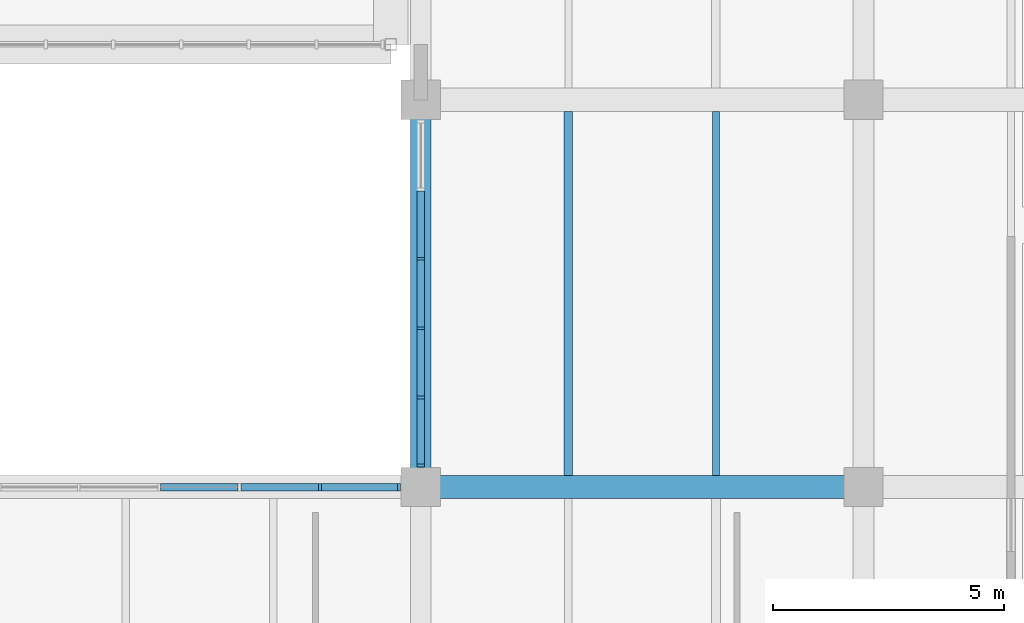
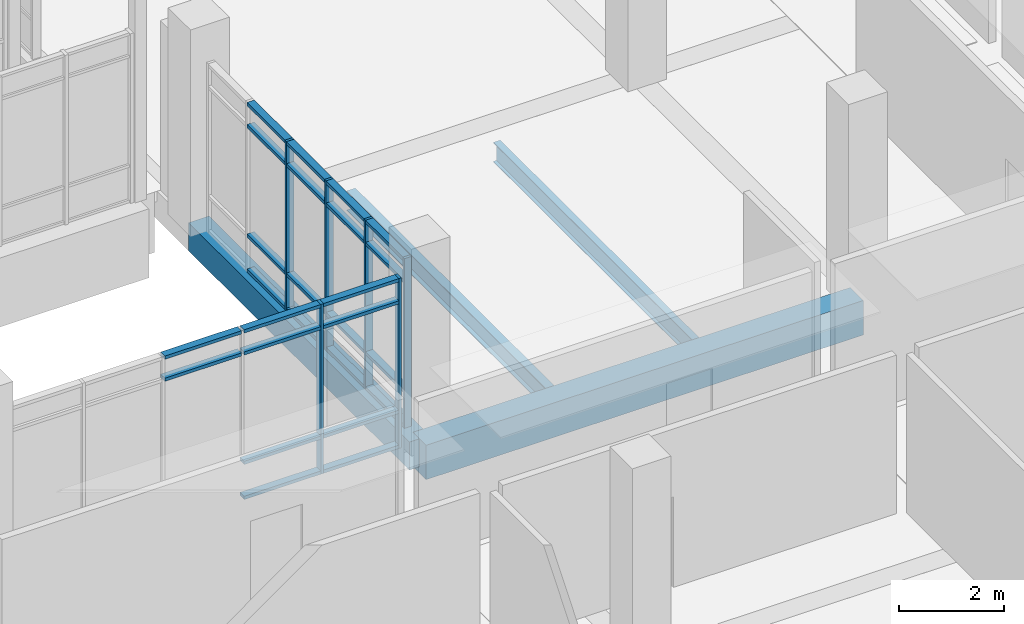
# One storey, part 47 of 152: 32 members, 4 beams, 2 elements without a shape of their own.
"""IFC4 building model written with IfcOpenShell, lengths in metres."""

from ifc_helpers import new_model, si_unit, direction, frame, origin, origin_2d, place, context, subcontext, project, spatial, rectangle, i_section, extrude, material, material_profile, profile_set, type_object, element, aggregate, save


model = new_model("IFC4")

# Units and contexts
model_context = context("Model", 3, precision=1e-05, world=origin(), true_north=direction((0.0, 1.0)))
body_context = subcontext(model_context, "Body", "Model", "MODEL_VIEW")
ifc_project = project(units=[si_unit("LENGTHUNIT", "METRE"), si_unit("AREAUNIT", "SQUARE_METRE"), si_unit("VOLUMEUNIT", "CUBIC_METRE"), si_unit("PLANEANGLEUNIT", "RADIAN"), si_unit("MASSUNIT", "GRAM", prefix="KILO")], contexts=[model_context])

# Site, building, storey
site_placement = place(None, origin())
site = spatial("IfcSite", under=ifc_project, at=site_placement, CompositionType="ELEMENT")
building_placement = place(site_placement, origin())
building = spatial("IfcBuilding", under=site, at=building_placement, Name="Oolite Switchyard Hospital", CompositionType="ELEMENT")
storey_placement = place(building_placement, frame((0.0, 0.0, 5.10009765625)))
storey = spatial("IfcBuildingStorey", under=building, at=storey_placement, Name="L01", CompositionType="ELEMENT", Elevation=5.10009765625)

# Beams
ifc_material_1 = material(Name="Concrete C40/50", Category="concrete")
ifc_material_profile_1 = material_profile(ifc_material_1, rectangle(XDim=0.449951171875, YDim=0.64990234375, at=origin_2d()), Name="RCB450X650")
ifc_profile_set_1 = profile_set([ifc_material_profile_1], Name="Concrete C40/50")
beam_type_1 = type_object("IfcBeamType", Name="BM-RC450X650", PredefinedType="BEAM", material=ifc_profile_set_1)
beam_1_placement = place(storey_placement, frame((182.39990234375, 25.199951171875, -0.3251953125), z_axis=(0.0, 1.0, 0.0), x_axis=(-1.0, 0.0, 0.0)))
element("IfcBeam", 1, at=beam_1_placement, inside=storey, type_object=beam_type_1, Name="L01 Y-Girder 513", PredefinedType="BEAM", context=body_context, shape_type="SweptSolid", body=[
    extrude(rectangle(XDim=0.449951171875, YDim=0.64990234375, at=origin_2d()), origin(), (0.0, 0.0, 1.0), 8.400146484375),
])
ifc_material_profile_2 = material_profile(ifc_material_1, rectangle(XDim=0.5, YDim=0.800048828125, at=origin_2d()), Name="RCB500X800")
ifc_profile_set_2 = profile_set([ifc_material_profile_2], Name="Concrete C40/50")
beam_type_2 = type_object("IfcBeamType", Name="BM-RC500X800", PredefinedType="BEAM", material=ifc_profile_set_2)
beam_2_placement = place(storey_placement, frame((182.39990234375, 25.199951171875, -0.400146484375), z_axis=(1.0, 0.0, 0.0), x_axis=(0.0, 1.0, 0.0)))
element("IfcBeam", 2, at=beam_2_placement, inside=storey, type_object=beam_type_2, Name="L01 X-Girder 59", PredefinedType="BEAM", context=body_context, shape_type="SweptSolid", body=[
    extrude(rectangle(XDim=0.5, YDim=0.800048828125, at=origin_2d()), origin(), (0.0, 0.0, 1.0), 9.60009765625),
])
ifc_material_2 = material(Name="Steel ASTM A992 Grade 50", Category="steel")
ifc_material_profile_3 = material_profile(ifc_material_2, i_section(OverallWidth=0.153076171875, OverallDepth=0.455078125, WebThickness=0.008056640625, FlangeThickness=0.012939453125, at=origin_2d()), Name="W18X40")
ifc_profile_set_3 = profile_set([ifc_material_profile_3], Name="Steel ASTM A992 Grade 50")
beam_type_3 = type_object("IfcBeamType", Name="BM-W18X40", PredefinedType="JOIST", material=ifc_profile_set_3)
beam_3_placement = place(storey_placement, frame((188.800048828125, 25.449951171875, -0.503173828125), z_axis=(0.0, 1.0, 0.0), x_axis=(-1.0, 0.0, 0.0)))
element("IfcBeam", 3, at=beam_3_placement, inside=storey, type_object=beam_type_3, Name="L01 Secondary Steel Joist 933", PredefinedType="JOIST", context=body_context, shape_type="SweptSolid", body=[
    extrude(i_section(OverallWidth=0.153076171875, OverallDepth=0.455078125, WebThickness=0.008056640625, FlangeThickness=0.012939453125, at=origin_2d()), origin(), (0.0, 0.0, 1.0), 7.900146484375),
])
ifc_material_profile_4 = material_profile(ifc_material_2, i_section(OverallWidth=0.19091796875, OverallDepth=0.4599609375, WebThickness=0.010009765625, FlangeThickness=0.01611328125, at=origin_2d()), Name="W18X55")
ifc_profile_set_4 = profile_set([ifc_material_profile_4], Name="Steel ASTM A992 Grade 50")
beam_type_4 = type_object("IfcBeamType", Name="BM-W18X55", PredefinedType="JOIST", material=ifc_profile_set_4)
beam_4_placement = place(storey_placement, frame((185.60009765625, 25.449951171875, -0.505126953125), z_axis=(0.0, 1.0, 0.0), x_axis=(-1.0, 0.0, 0.0)))
element("IfcBeam", 4, at=beam_4_placement, inside=storey, type_object=beam_type_4, Name="L01 Secondary Steel Joist 932", PredefinedType="JOIST", context=body_context, shape_type="SweptSolid", body=[
    extrude(i_section(OverallWidth=0.19091796875, OverallDepth=0.4599609375, WebThickness=0.010009765625, FlangeThickness=0.01611328125, at=origin_2d()), origin(), (0.0, 0.0, 1.0), 7.900146484375),
])

# Curtain wall, members
ifc_material_3 = material(Name="Thermally broken aluminum frame with laminated impact glazing", Category="aluminium")
curtain_wall_type_1 = type_object("IfcCurtainWallType", Name="CW-UNIT-96X48", PredefinedType="USERDEFINED", material=ifc_material_3)
curtain_wall_1_placement = place(storey_placement, origin())
curtain_wall_1 = element("IfcCurtainWall", 5, at=curtain_wall_1_placement, inside=storey, type_object=curtain_wall_type_1, Name="L01 Unitised Curtain Wall 107", ObjectType="UNITISED", PredefinedType="USERDEFINED")
ifc_material_4 = material(Name="Aluminium 6063-T6", Category="aluminium")
ifc_material_profile_5 = material_profile(ifc_material_4, rectangle(XDim=0.159912109375, YDim=0.06005859375, at=origin_2d()), Name="CWM60X160")
ifc_profile_set_5 = profile_set([ifc_material_profile_5], Name="Aluminium 6063-T6")
member_type_1 = type_object("IfcMemberType", Name="CW-MUL-180", PredefinedType="MULLION", material=ifc_profile_set_5)
member_1_placement = place(storey_placement, frame((180.216064453125, 25.199951171875, 0.0), z_axis=(0.0, 0.0, 1.0), x_axis=(0.0, 1.0, 0.0)))
member_1 = element("IfcMember", 6, at=member_1_placement, type_object=member_type_1, Name="CW-02 mullion 5", PredefinedType="MULLION", context=body_context, shape_type="SweptSolid", body=[
    extrude(rectangle(XDim=0.159912109375, YDim=0.06005859375, at=origin_2d()), origin(), (0.0, 0.0, 1.0), 3.93994140625),
])
member_2_placement = place(storey_placement, frame((181.929931640625, 25.199951171875, 0.0), z_axis=(0.0, 0.0, 1.0), x_axis=(0.0, 1.0, 0.0)))
member_2 = element("IfcMember", 7, at=member_2_placement, type_object=member_type_1, Name="CW-02 mullion 6", PredefinedType="MULLION", context=body_context, shape_type="SweptSolid", body=[
    extrude(rectangle(XDim=0.159912109375, YDim=0.06005859375, at=origin_2d()), origin(), (0.0, 0.0, 1.0), 3.93994140625),
])

curtain_wall_type_2 = type_object("IfcCurtainWallType", Name="CW-UNIT-84X48", PredefinedType="USERDEFINED", material=ifc_material_3)
curtain_wall_2_placement = place(storey_placement, origin())
curtain_wall_2 = element("IfcCurtainWall", 8, at=curtain_wall_2_placement, inside=storey, type_object=curtain_wall_type_2, Name="L01 Unitised Curtain Wall 197", ObjectType="UNITISED", PredefinedType="USERDEFINED")
member_3_placement = place(storey_placement, frame((182.39990234375, 25.669921875, 0.0), z_axis=(0.0, 0.0, 1.0), x_axis=(-1.0, 0.0, 0.0)))
member_3 = element("IfcMember", 9, at=member_3_placement, type_object=member_type_1, Name="CW-07 mullion 1", PredefinedType="MULLION", context=body_context, shape_type="SweptSolid", body=[
    extrude(rectangle(XDim=0.159912109375, YDim=0.06005859375, at=origin_2d()), origin(), (0.0, 0.0, 1.0), 3.93994140625),
])
member_4_placement = place(storey_placement, frame((182.39990234375, 27.14404296875, 0.0), z_axis=(0.0, 0.0, 1.0), x_axis=(-1.0, 0.0, 0.0)))
member_4 = element("IfcMember", 10, at=member_4_placement, type_object=member_type_1, Name="CW-07 mullion 2", PredefinedType="MULLION", context=body_context, shape_type="SweptSolid", body=[
    extrude(rectangle(XDim=0.159912109375, YDim=0.06005859375, at=origin_2d()), origin(), (0.0, 0.0, 1.0), 3.93994140625),
])
member_5_placement = place(storey_placement, frame((182.39990234375, 28.64794921875, 0.0), z_axis=(0.0, 0.0, 1.0), x_axis=(-1.0, 0.0, 0.0)))
member_5 = element("IfcMember", 11, at=member_5_placement, type_object=member_type_1, Name="CW-07 mullion 3", PredefinedType="MULLION", context=body_context, shape_type="SweptSolid", body=[
    extrude(rectangle(XDim=0.159912109375, YDim=0.06005859375, at=origin_2d()), origin(), (0.0, 0.0, 1.0), 3.93994140625),
])
member_6_placement = place(storey_placement, frame((182.39990234375, 30.152099609375, 0.0), z_axis=(0.0, 0.0, 1.0), x_axis=(-1.0, 0.0, 0.0)))
member_6 = element("IfcMember", 12, at=member_6_placement, type_object=member_type_1, Name="CW-07 mullion 4", PredefinedType="MULLION", context=body_context, shape_type="SweptSolid", body=[
    extrude(rectangle(XDim=0.159912109375, YDim=0.06005859375, at=origin_2d()), origin(), (0.0, 0.0, 1.0), 3.93994140625),
])

# Member
ifc_material_profile_6 = material_profile(ifc_material_4, rectangle(XDim=0.159912109375, YDim=0.074951171875, at=origin_2d()), Name="CWT75X160")
ifc_profile_set_6 = profile_set([ifc_material_profile_6], Name="Aluminium 6063-T6")
member_type_2 = type_object("IfcMemberType", Name="CW-TRN-180", PredefinedType="USERDEFINED", material=ifc_profile_set_6)
member_7_placement = place(storey_placement, frame((176.758056640625, 25.199951171875, 3.389892578125), z_axis=(1.0, 0.0, 0.0), x_axis=(0.0, 1.0, 0.0)))
member_7 = element("IfcMember", 13, at=member_7_placement, type_object=member_type_2, Name="CW-02 transom 3.3", ObjectType="TRANSOM", PredefinedType="USERDEFINED", context=body_context, shape_type="SweptSolid", body=[
    extrude(rectangle(XDim=0.159912109375, YDim=0.074951171875, at=origin_2d()), origin(), (0.0, 0.0, 1.0), 1.683837890625),
])

member_8_placement = place(storey_placement, frame((176.758056640625, 25.199951171875, 3.90234375), z_axis=(1.0, 0.0, 0.0), x_axis=(0.0, 1.0, 0.0)))
member_8 = element("IfcMember", 14, at=member_8_placement, type_object=member_type_2, Name="CW-02 transom 3.4", ObjectType="TRANSOM", PredefinedType="USERDEFINED", context=body_context, shape_type="SweptSolid", body=[
    extrude(rectangle(XDim=0.159912109375, YDim=0.074951171875, at=origin_2d()), origin(), (0.0, 0.0, 1.0), 1.683837890625),
])

member_9_placement = place(storey_placement, frame((178.501953125, 25.199951171875, 0.037353515625), z_axis=(1.0, 0.0, 0.0), x_axis=(0.0, 1.0, 0.0)))
member_9 = element("IfcMember", 15, at=member_9_placement, type_object=member_type_2, Name="CW-02 transom 4.1", ObjectType="TRANSOM", PredefinedType="USERDEFINED", context=body_context, shape_type="SweptSolid", body=[
    extrude(rectangle(XDim=0.159912109375, YDim=0.074951171875, at=origin_2d()), origin(), (0.0, 0.0, 1.0), 1.68408203125),
])

member_10_placement = place(storey_placement, frame((178.501953125, 25.199951171875, 0.849853515625), z_axis=(1.0, 0.0, 0.0), x_axis=(0.0, 1.0, 0.0)))
member_10 = element("IfcMember", 16, at=member_10_placement, type_object=member_type_2, Name="CW-02 transom 4.2", ObjectType="TRANSOM", PredefinedType="USERDEFINED", context=body_context, shape_type="SweptSolid", body=[
    extrude(rectangle(XDim=0.159912109375, YDim=0.074951171875, at=origin_2d()), origin(), (0.0, 0.0, 1.0), 1.68408203125),
])

member_11_placement = place(storey_placement, frame((178.501953125, 25.199951171875, 3.389892578125), z_axis=(1.0, 0.0, 0.0), x_axis=(0.0, 1.0, 0.0)))
member_11 = element("IfcMember", 17, at=member_11_placement, type_object=member_type_2, Name="CW-02 transom 4.3", ObjectType="TRANSOM", PredefinedType="USERDEFINED", context=body_context, shape_type="SweptSolid", body=[
    extrude(rectangle(XDim=0.159912109375, YDim=0.074951171875, at=origin_2d()), origin(), (0.0, 0.0, 1.0), 1.68408203125),
])

member_12_placement = place(storey_placement, frame((178.501953125, 25.199951171875, 3.90234375), z_axis=(1.0, 0.0, 0.0), x_axis=(0.0, 1.0, 0.0)))
member_12 = element("IfcMember", 18, at=member_12_placement, type_object=member_type_2, Name="CW-02 transom 4.4", ObjectType="TRANSOM", PredefinedType="USERDEFINED", context=body_context, shape_type="SweptSolid", body=[
    extrude(rectangle(XDim=0.159912109375, YDim=0.074951171875, at=origin_2d()), origin(), (0.0, 0.0, 1.0), 1.68408203125),
])

member_13_placement = place(storey_placement, frame((180.24609375, 25.199951171875, 0.037353515625), z_axis=(1.0, 0.0, 0.0), x_axis=(0.0, 1.0, 0.0)))
member_13 = element("IfcMember", 19, at=member_13_placement, type_object=member_type_2, Name="CW-02 transom 5.1", ObjectType="TRANSOM", PredefinedType="USERDEFINED", context=body_context, shape_type="SweptSolid", body=[
    extrude(rectangle(XDim=0.159912109375, YDim=0.074951171875, at=origin_2d()), origin(), (0.0, 0.0, 1.0), 1.65380859375),
])

member_14_placement = place(storey_placement, frame((180.24609375, 25.199951171875, 0.849853515625), z_axis=(1.0, 0.0, 0.0), x_axis=(0.0, 1.0, 0.0)))
member_14 = element("IfcMember", 20, at=member_14_placement, type_object=member_type_2, Name="CW-02 transom 5.2", ObjectType="TRANSOM", PredefinedType="USERDEFINED", context=body_context, shape_type="SweptSolid", body=[
    extrude(rectangle(XDim=0.159912109375, YDim=0.074951171875, at=origin_2d()), origin(), (0.0, 0.0, 1.0), 1.65380859375),
])

member_15_placement = place(storey_placement, frame((180.24609375, 25.199951171875, 3.389892578125), z_axis=(1.0, 0.0, 0.0), x_axis=(0.0, 1.0, 0.0)))
member_15 = element("IfcMember", 21, at=member_15_placement, type_object=member_type_2, Name="CW-02 transom 5.3", ObjectType="TRANSOM", PredefinedType="USERDEFINED", context=body_context, shape_type="SweptSolid", body=[
    extrude(rectangle(XDim=0.159912109375, YDim=0.074951171875, at=origin_2d()), origin(), (0.0, 0.0, 1.0), 1.65380859375),
])

member_16_placement = place(storey_placement, frame((180.24609375, 25.199951171875, 3.90234375), z_axis=(1.0, 0.0, 0.0), x_axis=(0.0, 1.0, 0.0)))
member_16 = element("IfcMember", 22, at=member_16_placement, type_object=member_type_2, Name="CW-02 transom 5.4", ObjectType="TRANSOM", PredefinedType="USERDEFINED", context=body_context, shape_type="SweptSolid", body=[
    extrude(rectangle(XDim=0.159912109375, YDim=0.074951171875, at=origin_2d()), origin(), (0.0, 0.0, 1.0), 1.65380859375),
])

aggregate(curtain_wall_1, [member_1, member_2, member_7, member_8, member_9, member_10, member_11, member_12, member_13, member_14, member_15, member_16])

member_17_placement = place(storey_placement, frame((182.39990234375, 25.699951171875, 0.037353515625), z_axis=(0.0, 1.0, 0.0), x_axis=(-1.0, 0.0, 0.0)))
member_17 = element("IfcMember", 23, at=member_17_placement, type_object=member_type_2, Name="CW-07 transom 1.1", ObjectType="TRANSOM", PredefinedType="USERDEFINED", context=body_context, shape_type="SweptSolid", body=[
    extrude(rectangle(XDim=0.159912109375, YDim=0.074951171875, at=origin_2d()), origin(), (0.0, 0.0, 1.0), 1.4140625),
])

member_18_placement = place(storey_placement, frame((182.39990234375, 25.699951171875, 0.849853515625), z_axis=(0.0, 1.0, 0.0), x_axis=(-1.0, 0.0, 0.0)))
member_18 = element("IfcMember", 24, at=member_18_placement, type_object=member_type_2, Name="CW-07 transom 1.2", ObjectType="TRANSOM", PredefinedType="USERDEFINED", context=body_context, shape_type="SweptSolid", body=[
    extrude(rectangle(XDim=0.159912109375, YDim=0.074951171875, at=origin_2d()), origin(), (0.0, 0.0, 1.0), 1.4140625),
])

member_19_placement = place(storey_placement, frame((182.39990234375, 25.699951171875, 3.389892578125), z_axis=(0.0, 1.0, 0.0), x_axis=(-1.0, 0.0, 0.0)))
member_19 = element("IfcMember", 25, at=member_19_placement, type_object=member_type_2, Name="CW-07 transom 1.3", ObjectType="TRANSOM", PredefinedType="USERDEFINED", context=body_context, shape_type="SweptSolid", body=[
    extrude(rectangle(XDim=0.159912109375, YDim=0.074951171875, at=origin_2d()), origin(), (0.0, 0.0, 1.0), 1.4140625),
])

member_20_placement = place(storey_placement, frame((182.39990234375, 25.699951171875, 3.90234375), z_axis=(0.0, 1.0, 0.0), x_axis=(-1.0, 0.0, 0.0)))
member_20 = element("IfcMember", 26, at=member_20_placement, type_object=member_type_2, Name="CW-07 transom 1.4", ObjectType="TRANSOM", PredefinedType="USERDEFINED", context=body_context, shape_type="SweptSolid", body=[
    extrude(rectangle(XDim=0.159912109375, YDim=0.074951171875, at=origin_2d()), origin(), (0.0, 0.0, 1.0), 1.4140625),
])

member_21_placement = place(storey_placement, frame((182.39990234375, 27.174072265625, 0.037353515625), z_axis=(0.0, 1.0, 0.0), x_axis=(-1.0, 0.0, 0.0)))
member_21 = element("IfcMember", 27, at=member_21_placement, type_object=member_type_2, Name="CW-07 transom 2.1", ObjectType="TRANSOM", PredefinedType="USERDEFINED", context=body_context, shape_type="SweptSolid", body=[
    extrude(rectangle(XDim=0.159912109375, YDim=0.074951171875, at=origin_2d()), origin(), (0.0, 0.0, 1.0), 1.44384765625),
])

member_22_placement = place(storey_placement, frame((182.39990234375, 27.174072265625, 0.849853515625), z_axis=(0.0, 1.0, 0.0), x_axis=(-1.0, 0.0, 0.0)))
member_22 = element("IfcMember", 28, at=member_22_placement, type_object=member_type_2, Name="CW-07 transom 2.2", ObjectType="TRANSOM", PredefinedType="USERDEFINED", context=body_context, shape_type="SweptSolid", body=[
    extrude(rectangle(XDim=0.159912109375, YDim=0.074951171875, at=origin_2d()), origin(), (0.0, 0.0, 1.0), 1.44384765625),
])

member_23_placement = place(storey_placement, frame((182.39990234375, 27.174072265625, 3.389892578125), z_axis=(0.0, 1.0, 0.0), x_axis=(-1.0, 0.0, 0.0)))
member_23 = element("IfcMember", 29, at=member_23_placement, type_object=member_type_2, Name="CW-07 transom 2.3", ObjectType="TRANSOM", PredefinedType="USERDEFINED", context=body_context, shape_type="SweptSolid", body=[
    extrude(rectangle(XDim=0.159912109375, YDim=0.074951171875, at=origin_2d()), origin(), (0.0, 0.0, 1.0), 1.44384765625),
])

member_24_placement = place(storey_placement, frame((182.39990234375, 27.174072265625, 3.90234375), z_axis=(0.0, 1.0, 0.0), x_axis=(-1.0, 0.0, 0.0)))
member_24 = element("IfcMember", 30, at=member_24_placement, type_object=member_type_2, Name="CW-07 transom 2.4", ObjectType="TRANSOM", PredefinedType="USERDEFINED", context=body_context, shape_type="SweptSolid", body=[
    extrude(rectangle(XDim=0.159912109375, YDim=0.074951171875, at=origin_2d()), origin(), (0.0, 0.0, 1.0), 1.44384765625),
])

member_25_placement = place(storey_placement, frame((182.39990234375, 28.677978515625, 0.037353515625), z_axis=(0.0, 1.0, 0.0), x_axis=(-1.0, 0.0, 0.0)))
member_25 = element("IfcMember", 31, at=member_25_placement, type_object=member_type_2, Name="CW-07 transom 3.1", ObjectType="TRANSOM", PredefinedType="USERDEFINED", context=body_context, shape_type="SweptSolid", body=[
    extrude(rectangle(XDim=0.159912109375, YDim=0.074951171875, at=origin_2d()), origin(), (0.0, 0.0, 1.0), 1.444091796875),
])

member_26_placement = place(storey_placement, frame((182.39990234375, 28.677978515625, 0.849853515625), z_axis=(0.0, 1.0, 0.0), x_axis=(-1.0, 0.0, 0.0)))
member_26 = element("IfcMember", 32, at=member_26_placement, type_object=member_type_2, Name="CW-07 transom 3.2", ObjectType="TRANSOM", PredefinedType="USERDEFINED", context=body_context, shape_type="SweptSolid", body=[
    extrude(rectangle(XDim=0.159912109375, YDim=0.074951171875, at=origin_2d()), origin(), (0.0, 0.0, 1.0), 1.444091796875),
])

member_27_placement = place(storey_placement, frame((182.39990234375, 28.677978515625, 3.389892578125), z_axis=(0.0, 1.0, 0.0), x_axis=(-1.0, 0.0, 0.0)))
member_27 = element("IfcMember", 33, at=member_27_placement, type_object=member_type_2, Name="CW-07 transom 3.3", ObjectType="TRANSOM", PredefinedType="USERDEFINED", context=body_context, shape_type="SweptSolid", body=[
    extrude(rectangle(XDim=0.159912109375, YDim=0.074951171875, at=origin_2d()), origin(), (0.0, 0.0, 1.0), 1.444091796875),
])

member_28_placement = place(storey_placement, frame((182.39990234375, 28.677978515625, 3.90234375), z_axis=(0.0, 1.0, 0.0), x_axis=(-1.0, 0.0, 0.0)))
member_28 = element("IfcMember", 34, at=member_28_placement, type_object=member_type_2, Name="CW-07 transom 3.4", ObjectType="TRANSOM", PredefinedType="USERDEFINED", context=body_context, shape_type="SweptSolid", body=[
    extrude(rectangle(XDim=0.159912109375, YDim=0.074951171875, at=origin_2d()), origin(), (0.0, 0.0, 1.0), 1.444091796875),
])

member_29_placement = place(storey_placement, frame((182.39990234375, 30.181884765625, 0.037353515625), z_axis=(0.0, 1.0, 0.0), x_axis=(-1.0, 0.0, 0.0)))
member_29 = element("IfcMember", 35, at=member_29_placement, type_object=member_type_2, Name="CW-07 transom 4.1", ObjectType="TRANSOM", PredefinedType="USERDEFINED", context=body_context, shape_type="SweptSolid", body=[
    extrude(rectangle(XDim=0.159912109375, YDim=0.074951171875, at=origin_2d()), origin(), (0.0, 0.0, 1.0), 1.444091796875),
])

member_30_placement = place(storey_placement, frame((182.39990234375, 30.181884765625, 0.849853515625), z_axis=(0.0, 1.0, 0.0), x_axis=(-1.0, 0.0, 0.0)))
member_30 = element("IfcMember", 36, at=member_30_placement, type_object=member_type_2, Name="CW-07 transom 4.2", ObjectType="TRANSOM", PredefinedType="USERDEFINED", context=body_context, shape_type="SweptSolid", body=[
    extrude(rectangle(XDim=0.159912109375, YDim=0.074951171875, at=origin_2d()), origin(), (0.0, 0.0, 1.0), 1.444091796875),
])

member_31_placement = place(storey_placement, frame((182.39990234375, 30.181884765625, 3.389892578125), z_axis=(0.0, 1.0, 0.0), x_axis=(-1.0, 0.0, 0.0)))
member_31 = element("IfcMember", 37, at=member_31_placement, type_object=member_type_2, Name="CW-07 transom 4.3", ObjectType="TRANSOM", PredefinedType="USERDEFINED", context=body_context, shape_type="SweptSolid", body=[
    extrude(rectangle(XDim=0.159912109375, YDim=0.074951171875, at=origin_2d()), origin(), (0.0, 0.0, 1.0), 1.444091796875),
])

member_32_placement = place(storey_placement, frame((182.39990234375, 30.181884765625, 3.90234375), z_axis=(0.0, 1.0, 0.0), x_axis=(-1.0, 0.0, 0.0)))
member_32 = element("IfcMember", 38, at=member_32_placement, type_object=member_type_2, Name="CW-07 transom 4.4", ObjectType="TRANSOM", PredefinedType="USERDEFINED", context=body_context, shape_type="SweptSolid", body=[
    extrude(rectangle(XDim=0.159912109375, YDim=0.074951171875, at=origin_2d()), origin(), (0.0, 0.0, 1.0), 1.444091796875),
])

aggregate(curtain_wall_2, [member_3, member_4, member_5, member_6, member_17, member_18, member_19, member_20, member_21, member_22, member_23, member_24, member_25, member_26, member_27, member_28, member_29, member_30, member_31, member_32])

save(model, "model.ifc")
